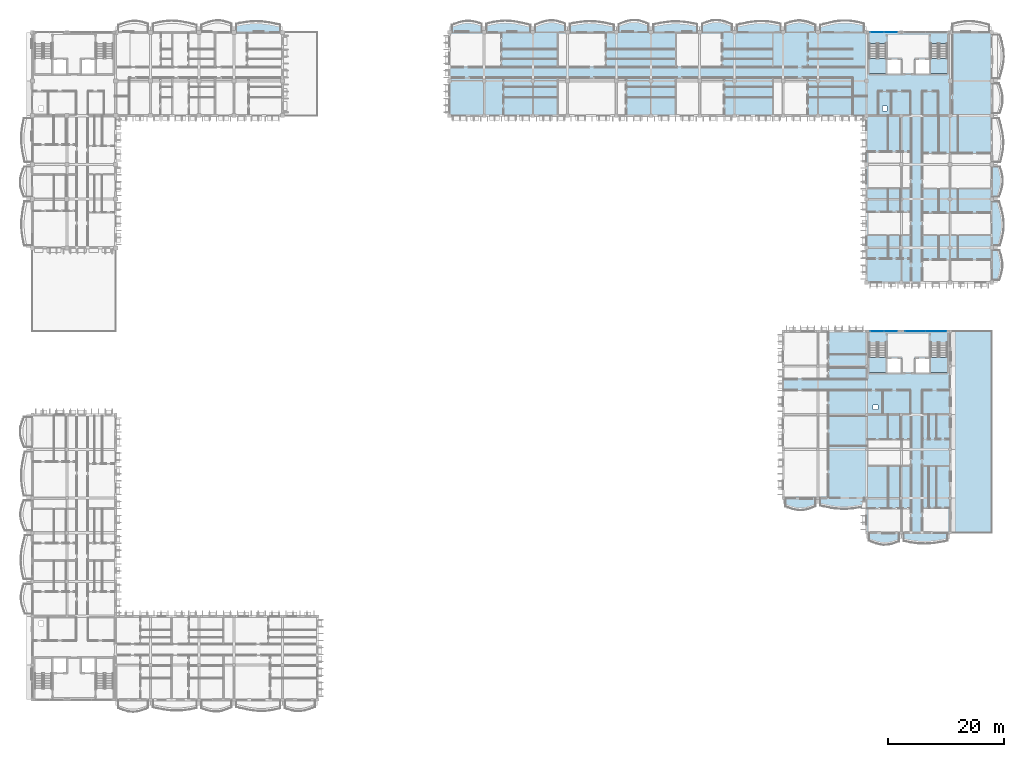
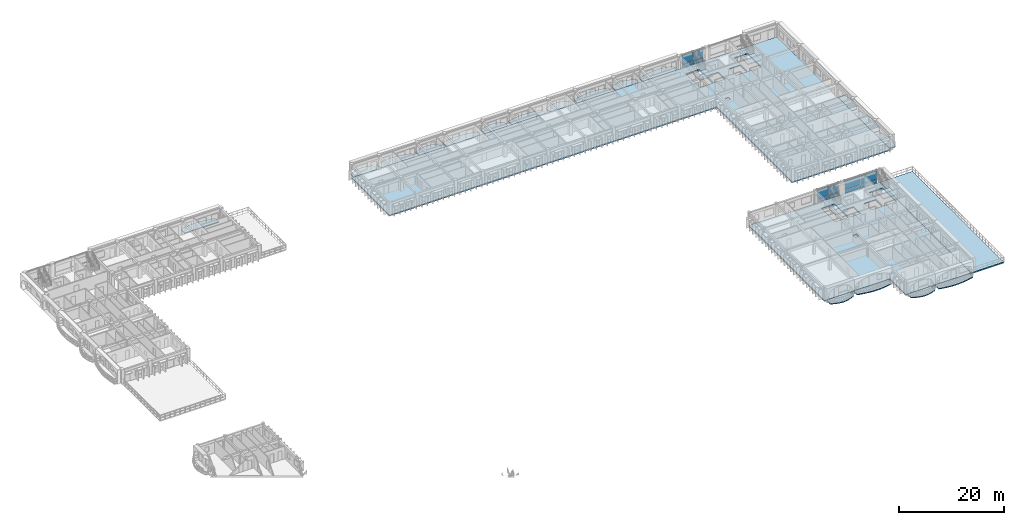
# One storey, part 11 of 66: 25 slabs, 12 plates, 7 elements without a shape of their own.
"""IFC4 building model written with IfcOpenShell, lengths in metres."""

import ifcopenshell
import ifcopenshell.guid

model = None  # the IFC model being written
_history = None  # IfcOwnerHistory: only IFC2X3 demands one
_inside = {}  # id of a spatial element -> (the spatial element, [elements in it])
_under = {}  # id of a project, library or spatial element -> (it, [spatial elements below it])
_declared = {}  # id of a project -> (the project, [libraries it declares])
_typed = {}  # id of a type object -> (the type object, [elements of that type])
_made_of = {}  # id of a material, layer set ... -> (it, [elements and type objects made of it])


def new_model(schema):
    """Start an empty IFC model of exactly this schema.

    Asked for "IFC4X3", IfcOpenShell would pick the latest addendum, in which some entities
    have other attributes; the version numbers below select the first issue.
    IFC2X3 requires an IfcOwnerHistory on every rooted entity: one is made here for all.
    """
    global model, _history
    if schema == "IFC4X3":
        model = ifcopenshell.file(schema_version=(4, 3, 0, 0))
    else:
        model = ifcopenshell.file(schema=schema)
    _inside.clear()
    _under.clear()
    _declared.clear()
    _typed.clear()
    _made_of.clear()
    _history = None
    if model.schema == "IFC2X3":
        org = make("IfcOrganization", Name="unknown")
        user = make(
            "IfcPersonAndOrganization",
            ThePerson=make("IfcPerson", FamilyName="unknown"),
            TheOrganization=org,
        )
        app = make(
            "IfcApplication",
            ApplicationDeveloper=org,
            Version="unknown",
            ApplicationFullName="unknown",
            ApplicationIdentifier="unknown",
        )
        _history = make(
            "IfcOwnerHistory",
            OwningUser=user,
            OwningApplication=app,
            ChangeAction="ADDED",
            CreationDate=0,
        )
    return model


def make(cls, **values):
    """One entity of the class cls with the attributes given. An attribute that is None is left unset."""
    return model.create_entity(
        cls, **{name: value for name, value in values.items() if value is not None}
    )


def rooted(cls, **values):
    """An entity with a GlobalId (a new one), such as an element, a storey or a relation."""
    return make(cls, GlobalId=ifcopenshell.guid.new(), OwnerHistory=_history, **values)


def si_unit(unit_type, name, prefix=None):
    """IfcSIUnit, for example si_unit("LENGTHUNIT", "METRE", prefix="MILLI")."""
    return make("IfcSIUnit", UnitType=unit_type, Prefix=prefix, Name=name)


def assignment(units):
    """IfcUnitAssignment: the units of a project."""
    return None if units is None else make("IfcUnitAssignment", Units=units)


def point(xyz):
    """IfcCartesianPoint."""
    return None if xyz is None else make("IfcCartesianPoint", Coordinates=xyz)


def direction(xyz):
    """IfcDirection."""
    return None if xyz is None else make("IfcDirection", DirectionRatios=xyz)


def frame(location, z_axis=None, x_axis=None):
    """IfcAxis2Placement3D, a coordinate frame: its origin and axes. An axis left out is left unset."""
    return make(
        "IfcAxis2Placement3D",
        Location=point(location),
        Axis=direction(z_axis),
        RefDirection=direction(x_axis),
    )


def frame_2d(location, x_axis=None):
    """IfcAxis2Placement2D, a coordinate frame in the plane: its origin and x axis."""
    return make(
        "IfcAxis2Placement2D", Location=point(location), RefDirection=direction(x_axis)
    )


def origin():
    """The frame at (0, 0, 0) with its axes left unset."""
    return frame((0.0, 0.0, 0.0))


def origin_2d():
    """The frame at (0, 0) in the plane with its x axis left unset."""
    return frame_2d((0.0, 0.0))


def place(relative_to, where):
    """IfcLocalPlacement: puts the frame where relative to a parent placement (None: the world)."""
    return make(
        "IfcLocalPlacement", PlacementRelTo=relative_to, RelativePlacement=where
    )


def context(
    kind, dimensions, precision=None, world=None, true_north=None, identifier=None
):
    """IfcGeometricRepresentationContext, for example the 3D "Model" context."""
    return make(
        "IfcGeometricRepresentationContext",
        ContextIdentifier=identifier,
        ContextType=kind,
        CoordinateSpaceDimension=dimensions,
        Precision=precision,
        WorldCoordinateSystem=world,
        TrueNorth=true_north,
    )


def subcontext(parent, identifier, kind, view, scale=None):
    """IfcGeometricRepresentationSubContext, for example "Body" below "Model"."""
    return make(
        "IfcGeometricRepresentationSubContext",
        ContextIdentifier=identifier,
        ContextType=kind,
        ParentContext=parent,
        TargetScale=scale,
        TargetView=view,
    )


def project(units=None, contexts=None):
    """IfcProject with its units and contexts."""
    return rooted(
        "IfcProject",
        Name="project",
        RepresentationContexts=contexts,
        UnitsInContext=assignment(units),
    )


def spatial(cls, under=None, at=None, **own):
    """A site, building, storey or space (cls), placed at a placement, below another one or the project."""
    s = rooted(cls, ObjectPlacement=at, **own)
    if under is not None:
        _under.setdefault(under.id(), (under, []))[1].append(s)
    return s


def polyline(points):
    """IfcPolyline through the points."""
    return make("IfcPolyline", Points=[point(p) for p in points])


def profile(cls, at=None, kind="AREA", **sizes):
    """A parametric profile (cls). Its sizes go by their IFC names, for example OverallWidth=200.0."""
    return make(cls, ProfileType=kind, Position=at, **sizes)


def rectangle(**sizes):
    """IfcRectangleProfileDef."""
    return profile("IfcRectangleProfileDef", **sizes)


def outline(outer, holes=None, kind="AREA"):
    """IfcArbitraryClosedProfileDef: a profile drawn as a closed curve; with holes, ...WithVoids."""
    if holes is None:
        return make("IfcArbitraryClosedProfileDef", ProfileType=kind, OuterCurve=outer)
    return make(
        "IfcArbitraryProfileDefWithVoids",
        ProfileType=kind,
        OuterCurve=outer,
        InnerCurves=holes,
    )


def extrude(swept, where, along, depth):
    """IfcExtrudedAreaSolid: the profile swept, set in the frame where, extruded along a direction by depth."""
    return make(
        "IfcExtrudedAreaSolid",
        SweptArea=swept,
        Position=where,
        ExtrudedDirection=direction(along),
        Depth=depth,
    )


def shape(context_of_items, identifier, shape_type, items):
    """IfcShapeRepresentation: the items that make up one representation, for example the "Body"."""
    return make(
        "IfcShapeRepresentation",
        ContextOfItems=context_of_items,
        RepresentationIdentifier=identifier,
        RepresentationType=shape_type,
        Items=items,
    )


def material(Name=None, Category=None):
    """IfcMaterial."""
    return make("IfcMaterial", Name=Name, Category=Category)


def layer(
    of_material, thickness, ventilated=None, Name=None, Category=None, Priority=None
):
    """IfcMaterialLayer: one layer of a wall or slab, of a material (None: an air gap)."""
    return make(
        "IfcMaterialLayer",
        Material=of_material,
        LayerThickness=thickness,
        IsVentilated=ventilated,
        Name=Name,
        Category=Category,
        Priority=Priority,
    )


def layer_set(layers, Name=None):
    """IfcMaterialLayerSet."""
    return make("IfcMaterialLayerSet", MaterialLayers=layers, LayerSetName=Name)


def made_of(thing, what):
    """Note that an element or type object is made of a material, layer set ...; save() writes the relation."""
    if what is not None:
        _made_of.setdefault(what.id(), (what, []))[1].append(thing)
    return thing


def type_object(cls, material=None, **own):
    """A type object (cls), such as IfcWallType, which elements share."""
    return made_of(rooted(cls, **own), material)


def element(
    cls,
    number,
    at=None,
    inside=None,
    cuts=None,
    type_object=None,
    material=None,
    context=None,
    identifier="Body",
    shape_type=None,
    held_by="IfcProductDefinitionShape",
    body=None,
    shapes=None,
    **own,
):
    """One element of the class cls, such as IfcWall. Its Tag is "e" and its number.

    at: its placement. inside: the storey or other place that contains it. cuts: it is an
    opening in that element (IfcRelVoidsElement). A single representation is given by context,
    identifier, shape_type and body (its items); several are given by shapes. held_by: the class
    of the entity that holds the representations. save() writes the other relations.
    """
    e = rooted(cls, Tag="e%d" % number, ObjectPlacement=at, **own)
    if body is not None:
        shapes = [shape(context, identifier, shape_type, body)]
    if shapes is not None:
        e.Representation = make(held_by, Representations=shapes)
    if inside is not None:
        _inside.setdefault(inside.id(), (inside, []))[1].append(e)
    if cuts is not None:
        rooted(
            "IfcRelVoidsElement", RelatingBuildingElement=cuts, RelatedOpeningElement=e
        )
    if type_object is not None:
        _typed.setdefault(type_object.id(), (type_object, []))[1].append(e)
    return made_of(e, material)


def aggregate(whole, parts):
    """IfcRelAggregates: a whole, such as a stair, and the parts it consists of."""
    return rooted("IfcRelAggregates", RelatingObject=whole, RelatedObjects=parts)


def save(model, path):
    """Write the relations noted so far, then the file.

    IfcRelAggregates (storeys below a building ...), IfcRelContainedInSpatialStructure (elements
    in a storey), IfcRelDefinesByType, IfcRelAssociatesMaterial and IfcRelDeclares: one each for
    every whole, place, type object, material and project.
    """
    for whole, parts in _under.values():
        aggregate(whole, parts)
    for where, things in _inside.values():
        rooted(
            "IfcRelContainedInSpatialStructure",
            RelatedElements=things,
            RelatingStructure=where,
        )
    for kind, things in _typed.values():
        rooted("IfcRelDefinesByType", RelatedObjects=things, RelatingType=kind)
    for what, things in _made_of.values():
        rooted("IfcRelAssociatesMaterial", RelatedObjects=things, RelatingMaterial=what)
    for by, libraries in _declared.values():
        rooted("IfcRelDeclares", RelatingContext=by, RelatedDefinitions=libraries)
    model.write(path)


model = new_model("IFC4")

# Units and contexts
model_context = context("Model", 3, precision=1e-05, world=origin(), true_north=direction((0.0, 1.0)))
body_context = subcontext(model_context, "Body", "Model", "MODEL_VIEW")
ifc_project = project(units=[si_unit("LENGTHUNIT", "METRE"), si_unit("AREAUNIT", "SQUARE_METRE"), si_unit("VOLUMEUNIT", "CUBIC_METRE"), si_unit("PLANEANGLEUNIT", "RADIAN"), si_unit("MASSUNIT", "GRAM", prefix="KILO"), si_unit("THERMODYNAMICTEMPERATUREUNIT", "KELVIN")], contexts=[model_context])

# Site, building, storey
site_placement = place(None, origin())
site = spatial("IfcSite", under=ifc_project, at=site_placement, CompositionType="ELEMENT")
building_placement = place(site_placement, origin())
building = spatial("IfcBuilding", under=site, at=building_placement, Name="Thalorik Housing Commons", CompositionType="ELEMENT")
storey_placement = place(building_placement, frame((0.0, 0.0, 21.300048828125)))
storey = spatial("IfcBuildingStorey", under=building, at=storey_placement, Name="L06", CompositionType="ELEMENT", Elevation=21.300048828125)

# Curtain wall, plates
ifc_material_1 = material(Name="Anodised aluminium and solar-control low-E glass", Category="aluminium")
curtain_wall_type = type_object("IfcCurtainWallType", Name="ARC-CW-CORE", PredefinedType="USERDEFINED", material=ifc_material_1)
curtain_wall_1_placement = place(storey_placement, origin())
curtain_wall_1 = element("IfcCurtainWall", 1, at=curtain_wall_1_placement, inside=storey, type_object=curtain_wall_type, Name="L06 Curtain Wall CW-CORE-L06-B-100", ObjectType="CURTAIN WALL", PredefinedType="USERDEFINED")
ifc_material_2 = material(Name="Cobalt blue enamelled aluminium spandrel panel", Category="aluminium")
ifc_layer_1 = layer(ifc_material_2, 0.0458984375, Name="Cobalt blue enamelled aluminium spandrel panel", Category="aluminium")
ifc_layer_set_1 = layer_set([ifc_layer_1], Name="Cobalt blue enamelled aluminium spandrel panel")
plate_type_1 = type_object("IfcPlateType", Name="ARC-CP-BLU-46", PredefinedType="CURTAIN_PANEL", material=ifc_layer_set_1)
plate_1_placement = place(storey_placement, frame((156.574951171875, 123.60009765625, 0.080078125), z_axis=(0.0, 0.0, 1.0), x_axis=(-1.0, 0.0, 0.0)))
plate_1 = element("IfcPlate", 2, at=plate_1_placement, type_object=plate_type_1, Name="CW-CORE-L06-B-100 Spandrel Panel 1", PredefinedType="CURTAIN_PANEL", context=body_context, shape_type="SweptSolid", body=[
    extrude(rectangle(XDim=2.2900390625, YDim=0.0458984375, at=origin_2d()), origin(), (0.0, 0.0, 1.0), 0.760009765625),
])
plate_2_placement = place(storey_placement, frame((154.22509765625, 123.60009765625, 0.080078125), z_axis=(0.0, 0.0, 1.0), x_axis=(-1.0, 0.0, 0.0)))
plate_2 = element("IfcPlate", 3, at=plate_2_placement, type_object=plate_type_1, Name="CW-CORE-L06-B-100 Spandrel Panel 2", PredefinedType="CURTAIN_PANEL", context=body_context, shape_type="SweptSolid", body=[
    extrude(rectangle(XDim=2.2900390625, YDim=0.0458984375, at=origin_2d()), origin(), (0.0, 0.0, 1.0), 0.760009765625),
])
ifc_material_3 = material(Name="Double solar-control low-E glass", Category="glass")
ifc_layer_2 = layer(ifc_material_3, 0.028076171875, Name="Double solar-control low-E glass", Category="glass")
ifc_layer_set_2 = layer_set([ifc_layer_2], Name="Double solar-control low-E glass")
plate_type_2 = type_object("IfcPlateType", Name="ARC-CP-GLZ-28", PredefinedType="CURTAIN_PANEL", material=ifc_layer_set_2)
plate_3_placement = place(storey_placement, frame((156.574951171875, 123.60009765625, 0.919921875), z_axis=(0.0, 0.0, 1.0), x_axis=(-1.0, 0.0, 0.0)))
plate_3 = element("IfcPlate", 4, at=plate_3_placement, type_object=plate_type_2, Name="CW-CORE-L06-B-100 Vision Panel 1", PredefinedType="CURTAIN_PANEL", context=body_context, shape_type="SweptSolid", body=[
    extrude(rectangle(XDim=2.2900390625, YDim=0.028076171875, at=origin_2d()), origin(), (0.0, 0.0, 1.0), 2.0400390625),
])
plate_4_placement = place(storey_placement, frame((154.22509765625, 123.60009765625, 0.919921875), z_axis=(0.0, 0.0, 1.0), x_axis=(-1.0, 0.0, 0.0)))
plate_4 = element("IfcPlate", 5, at=plate_4_placement, type_object=plate_type_2, Name="CW-CORE-L06-B-100 Vision Panel 2", PredefinedType="CURTAIN_PANEL", context=body_context, shape_type="SweptSolid", body=[
    extrude(rectangle(XDim=2.2900390625, YDim=0.028076171875, at=origin_2d()), origin(), (0.0, 0.0, 1.0), 2.0400390625),
])
aggregate(curtain_wall_1, [plate_1, plate_3, plate_2, plate_4])

curtain_wall_2_placement = place(storey_placement, origin())
curtain_wall_2 = element("IfcCurtainWall", 6, at=curtain_wall_2_placement, inside=storey, type_object=curtain_wall_type, Name="L06 Curtain Wall CW-CORE-L06-D-198", ObjectType="CURTAIN WALL", PredefinedType="USERDEFINED")
plate_5_placement = place(storey_placement, frame((164.375, 72.0, 0.919921875), z_axis=(0.0, 0.0, 1.0), x_axis=(-1.0, 0.0, 0.0)))
plate_5 = element("IfcPlate", 7, at=plate_5_placement, type_object=plate_type_2, Name="CW-CORE-L06-D-198 Vision Panel 1", PredefinedType="CURTAIN_PANEL", context=body_context, shape_type="SweptSolid", body=[
    extrude(rectangle(XDim=3.489990234375, YDim=0.028076171875, at=origin_2d()), origin(), (0.0, 0.0, 1.0), 2.0400390625),
])
plate_6_placement = place(storey_placement, frame((160.824951171875, 72.0, 0.919921875), z_axis=(0.0, 0.0, 1.0), x_axis=(-1.0, 0.0, 0.0)))
plate_6 = element("IfcPlate", 8, at=plate_6_placement, type_object=plate_type_2, Name="CW-CORE-L06-D-198 Vision Panel 2", PredefinedType="CURTAIN_PANEL", context=body_context, shape_type="SweptSolid", body=[
    extrude(rectangle(XDim=3.489990234375, YDim=0.028076171875, at=origin_2d()), origin(), (0.0, 0.0, 1.0), 2.0400390625),
])

curtain_wall_3_placement = place(storey_placement, origin())
curtain_wall_3 = element("IfcCurtainWall", 9, at=curtain_wall_3_placement, inside=storey, type_object=curtain_wall_type, Name="L06 Curtain Wall CW-CORE-L06-D-199", ObjectType="CURTAIN WALL", PredefinedType="USERDEFINED")
plate_7_placement = place(storey_placement, frame((156.574951171875, 72.0, 0.919921875), z_axis=(0.0, 0.0, 1.0), x_axis=(-1.0, 0.0, 0.0)))
plate_7 = element("IfcPlate", 10, at=plate_7_placement, type_object=plate_type_2, Name="CW-CORE-L06-D-199 Vision Panel 1", PredefinedType="CURTAIN_PANEL", context=body_context, shape_type="SweptSolid", body=[
    extrude(rectangle(XDim=2.2900390625, YDim=0.028076171875, at=origin_2d()), origin(), (0.0, 0.0, 1.0), 2.0400390625),
])
plate_8_placement = place(storey_placement, frame((154.22509765625, 72.0, 0.919921875), z_axis=(0.0, 0.0, 1.0), x_axis=(-1.0, 0.0, 0.0)))
plate_8 = element("IfcPlate", 11, at=plate_8_placement, type_object=plate_type_2, Name="CW-CORE-L06-D-199 Vision Panel 2", PredefinedType="CURTAIN_PANEL", context=body_context, shape_type="SweptSolid", body=[
    extrude(rectangle(XDim=2.2900390625, YDim=0.028076171875, at=origin_2d()), origin(), (0.0, 0.0, 1.0), 2.0400390625),
])
ifc_material_4 = material(Name="Oxide red enamelled aluminium spandrel panel", Category="aluminium")
ifc_layer_3 = layer(ifc_material_4, 0.0419921875, Name="Oxide red enamelled aluminium spandrel panel", Category="aluminium")
ifc_layer_set_3 = layer_set([ifc_layer_3], Name="Oxide red enamelled aluminium spandrel panel")
plate_type_3 = type_object("IfcPlateType", Name="ARC-CP-RED-42", PredefinedType="CURTAIN_PANEL", material=ifc_layer_set_3)
plate_9_placement = place(storey_placement, frame((156.574951171875, 72.0, 0.080078125), z_axis=(0.0, 0.0, 1.0), x_axis=(-1.0, 0.0, 0.0)))
plate_9 = element("IfcPlate", 12, at=plate_9_placement, type_object=plate_type_3, Name="CW-CORE-L06-D-199 Spandrel Panel 1", PredefinedType="CURTAIN_PANEL", context=body_context, shape_type="SweptSolid", body=[
    extrude(rectangle(XDim=2.2900390625, YDim=0.0419921875, at=origin_2d()), origin(), (0.0, 0.0, 1.0), 0.760009765625),
])
plate_10_placement = place(storey_placement, frame((154.22509765625, 72.0, 0.080078125), z_axis=(0.0, 0.0, 1.0), x_axis=(-1.0, 0.0, 0.0)))
plate_10 = element("IfcPlate", 13, at=plate_10_placement, type_object=plate_type_3, Name="CW-CORE-L06-D-199 Spandrel Panel 2", PredefinedType="CURTAIN_PANEL", context=body_context, shape_type="SweptSolid", body=[
    extrude(rectangle(XDim=2.2900390625, YDim=0.0419921875, at=origin_2d()), origin(), (0.0, 0.0, 1.0), 0.760009765625),
])
aggregate(curtain_wall_3, [plate_9, plate_7, plate_10, plate_8])

# Plate
ifc_material_5 = material(Name="Mineral ochre yellow aluminium spandrel panel", Category="aluminium")
ifc_layer_4 = layer(ifc_material_5, 0.050048828125, Name="Mineral ochre yellow aluminium spandrel panel", Category="aluminium")
ifc_layer_set_4 = layer_set([ifc_layer_4], Name="Mineral ochre yellow aluminium spandrel panel")
plate_type_4 = type_object("IfcPlateType", Name="ARC-CP-YEL-50", PredefinedType="CURTAIN_PANEL", material=ifc_layer_set_4)
plate_11_placement = place(storey_placement, frame((164.375, 72.0, 0.080078125), z_axis=(0.0, 0.0, 1.0), x_axis=(-1.0, 0.0, 0.0)))
plate_11 = element("IfcPlate", 14, at=plate_11_placement, type_object=plate_type_4, Name="CW-CORE-L06-D-198 Spandrel Panel 1", PredefinedType="CURTAIN_PANEL", context=body_context, shape_type="SweptSolid", body=[
    extrude(rectangle(XDim=3.489990234375, YDim=0.050048828125, at=origin_2d()), origin(), (0.0, 0.0, 1.0), 0.760009765625),
])

plate_12_placement = place(storey_placement, frame((160.824951171875, 72.0, 0.080078125), z_axis=(0.0, 0.0, 1.0), x_axis=(-1.0, 0.0, 0.0)))
plate_12 = element("IfcPlate", 15, at=plate_12_placement, type_object=plate_type_4, Name="CW-CORE-L06-D-198 Spandrel Panel 2", PredefinedType="CURTAIN_PANEL", context=body_context, shape_type="SweptSolid", body=[
    extrude(rectangle(XDim=3.489990234375, YDim=0.050048828125, at=origin_2d()), origin(), (0.0, 0.0, 1.0), 0.760009765625),
])

aggregate(curtain_wall_2, [plate_11, plate_5, plate_12, plate_6])

# Stair, slab
ifc_material_6 = material(Name="Precast concrete C40/50", Category="concrete")
stair_type = type_object("IfcStairType", Name="ARC-STR-1350-R20", PredefinedType="HALF_TURN_STAIR", material=ifc_material_6)
stair_1_placement = place(storey_placement, origin())
stair_1 = element("IfcStair", 16, at=stair_1_placement, inside=storey, type_object=stair_type, Name="L06 Block B Smoke-Proof Stair 1", PredefinedType="HALF_TURN_STAIR")
ifc_layer_5 = layer(ifc_material_6, 0.199951171875, Name="Precast concrete C40/50", Category="concrete")
ifc_layer_set_5 = layer_set([ifc_layer_5], Name="Precast concrete C40/50")
slab_type_1 = type_object("IfcSlabType", Name="ARC-SLB-STLND-200", PredefinedType="LANDING", material=ifc_layer_set_5)
slab_1_placement = place(storey_placement, frame((0.0, 0.0, 1.449951171875)))
slab_1 = element("IfcSlab", 17, at=slab_1_placement, type_object=slab_type_1, Name="ST-B1 landing 1", PredefinedType="LANDING", context=body_context, shape_type="SweptSolid", body=[
    extrude(outline(polyline([(152.85009765625, 119.090087890625), (152.85009765625, 116.449951171875), (155.75, 116.449951171875), (155.75, 119.090087890625), (152.85009765625, 119.090087890625)])), origin(), (0.0, 0.0, 1.0), 0.199951171875),
])
aggregate(stair_1, [slab_1])

stair_2_placement = place(storey_placement, origin())
stair_2 = element("IfcStair", 18, at=stair_2_placement, inside=storey, type_object=stair_type, Name="L06 Block B Smoke-Proof Stair 2", PredefinedType="HALF_TURN_STAIR")
slab_2_placement = place(storey_placement, frame((0.0, 0.0, 1.449951171875)))
slab_2 = element("IfcSlab", 19, at=slab_2_placement, type_object=slab_type_1, Name="ST-B2 landing 1", PredefinedType="LANDING", context=body_context, shape_type="SweptSolid", body=[
    extrude(outline(polyline([(163.449951171875, 119.090087890625), (163.449951171875, 116.449951171875), (166.35009765625, 116.449951171875), (166.35009765625, 119.090087890625), (163.449951171875, 119.090087890625)])), origin(), (0.0, 0.0, 1.0), 0.199951171875),
])
aggregate(stair_2, [slab_2])

stair_3_placement = place(storey_placement, origin())
stair_3 = element("IfcStair", 20, at=stair_3_placement, inside=storey, type_object=stair_type, Name="L06 Block D Smoke-Proof Stair 1", PredefinedType="HALF_TURN_STAIR")
slab_3_placement = place(storey_placement, frame((0.0, 0.0, 1.449951171875)))
slab_3 = element("IfcSlab", 21, at=slab_3_placement, type_object=slab_type_1, Name="ST-D1 landing 1", PredefinedType="LANDING", context=body_context, shape_type="SweptSolid", body=[
    extrude(outline(polyline([(152.85009765625, 67.489990234375), (152.85009765625, 64.85009765625), (155.75, 64.85009765625), (155.75, 67.489990234375), (152.85009765625, 67.489990234375)])), origin(), (0.0, 0.0, 1.0), 0.199951171875),
])
aggregate(stair_3, [slab_3])

stair_4_placement = place(storey_placement, origin())
stair_4 = element("IfcStair", 22, at=stair_4_placement, inside=storey, type_object=stair_type, Name="L06 Block D Smoke-Proof Stair 2", PredefinedType="HALF_TURN_STAIR")
slab_4_placement = place(storey_placement, frame((0.0, 0.0, 1.449951171875)))
slab_4 = element("IfcSlab", 23, at=slab_4_placement, type_object=slab_type_1, Name="ST-D2 landing 1", PredefinedType="LANDING", context=body_context, shape_type="SweptSolid", body=[
    extrude(outline(polyline([(163.449951171875, 67.489990234375), (163.449951171875, 64.85009765625), (166.35009765625, 64.85009765625), (166.35009765625, 67.489990234375), (163.449951171875, 67.489990234375)])), origin(), (0.0, 0.0, 1.0), 0.199951171875),
])
aggregate(stair_4, [slab_4])

# Slabs
ifc_layer_6 = layer(ifc_material_6, 0.199951171875, Name="Precast concrete C40/50", Category="concrete")
ifc_layer_set_6 = layer_set([ifc_layer_6], Name="Precast concrete C40/50")
slab_type_2 = type_object("IfcSlabType", Name="STR-SLB-BALC-200", PredefinedType="FLOOR", material=ifc_layer_set_6)
slab_5_placement = place(storey_placement, frame((0.0, 0.0, -0.199951171875)))
element("IfcSlab", 24, at=slab_5_placement, inside=storey, type_object=slab_type_2, Name="L06 Block B Cushion Balcony 169", PredefinedType="FLOOR", context=body_context, shape_type="SweptSolid", body=[
    extrude(outline(polyline([(80.820068359375, 123.60009765625), (85.97998046875, 123.60009765625), (85.97998046875, 125.0595703125), (85.550048828125, 125.201904296875), (85.1201171875, 125.330810546875), (84.68994140625, 125.43701171875), (84.260009765625, 125.512451171875), (83.830078125, 125.55126953125), (83.39990234375, 125.55029296875), (82.969970703125, 125.50830078125), (82.5400390625, 125.42822265625), (82.110107421875, 125.314453125), (81.679931640625, 125.174072265625), (81.25, 125.0166015625), (80.820068359375, 124.85205078125), (80.820068359375, 123.60009765625)])), origin(), (0.0, 0.0, 1.0), 0.199951171875),
])
slab_6_placement = place(storey_placement, frame((0.0, 0.0, -0.199951171875)))
element("IfcSlab", 25, at=slab_6_placement, inside=storey, type_object=slab_type_2, Name="L06 Block B Cushion Balcony 171", PredefinedType="FLOOR", context=body_context, shape_type="SweptSolid", body=[
    extrude(outline(polyline([(95.219970703125, 123.60009765625), (100.3798828125, 123.60009765625), (100.3798828125, 125.087646484375), (99.949951171875, 125.24560546875), (99.52001953125, 125.388916015625), (99.090087890625, 125.507080078125), (98.659912109375, 125.592041015625), (98.22998046875, 125.6376953125), (97.800048828125, 125.640380859375), (97.3701171875, 125.599365234375), (96.93994140625, 125.5166015625), (96.510009765625, 125.397216796875), (96.080078125, 125.248291015625), (95.64990234375, 125.07958984375), (95.219970703125, 124.901611328125), (95.219970703125, 123.60009765625)])), origin(), (0.0, 0.0, 1.0), 0.199951171875),
])
slab_7_placement = place(storey_placement, frame((0.0, 0.0, -0.199951171875)))
element("IfcSlab", 26, at=slab_7_placement, inside=storey, type_object=slab_type_2, Name="L06 Block B Cushion Balcony 173", PredefinedType="FLOOR", context=body_context, shape_type="SweptSolid", body=[
    extrude(outline(polyline([(109.6201171875, 123.60009765625), (114.780029296875, 123.60009765625), (114.780029296875, 125.04638671875), (114.35009765625, 125.22021484375), (113.919921875, 125.380126953125), (113.489990234375, 125.515380859375), (113.06005859375, 125.6171875), (112.6298828125, 125.6787109375), (112.199951171875, 125.69580078125), (111.77001953125, 125.667236328125), (111.340087890625, 125.5947265625), (110.909912109375, 125.482421875), (110.47998046875, 125.338134765625), (110.050048828125, 125.17041015625), (109.6201171875, 124.99072265625), (109.6201171875, 123.60009765625)])), origin(), (0.0, 0.0, 1.0), 0.199951171875),
])
slab_8_placement = place(storey_placement, frame((0.0, 0.0, -0.199951171875)))
element("IfcSlab", 27, at=slab_8_placement, inside=storey, type_object=slab_type_2, Name="L06 Block B Cushion Balcony 175", PredefinedType="FLOOR", context=body_context, shape_type="SweptSolid", body=[
    extrude(outline(polyline([(124.02001953125, 123.60009765625), (129.179931640625, 123.60009765625), (129.179931640625, 124.959716796875), (128.75, 125.140380859375), (128.320068359375, 125.309814453125), (127.889892578125, 125.457275390625), (127.4599609375, 125.572998046875), (127.030029296875, 125.650390625), (126.60009765625, 125.68408203125), (126.169921875, 125.672607421875), (125.739990234375, 125.61669921875), (125.31005859375, 125.520751953125), (124.8798828125, 125.39111328125), (124.449951171875, 125.236328125), (124.02001953125, 125.067138671875), (124.02001953125, 123.60009765625)])), origin(), (0.0, 0.0, 1.0), 0.199951171875),
])
slab_9_placement = place(storey_placement, frame((0.0, 0.0, -0.199951171875)))
element("IfcSlab", 28, at=slab_9_placement, inside=storey, type_object=slab_type_2, Name="L06 Block B Cushion Balcony 177", PredefinedType="FLOOR", context=body_context, shape_type="SweptSolid", body=[
    extrude(outline(polyline([(138.419921875, 123.60009765625), (143.580078125, 123.60009765625), (143.580078125, 124.87841796875), (143.14990234375, 125.052978515625), (142.719970703125, 125.218994140625), (142.2900390625, 125.366455078125), (141.860107421875, 125.485595703125), (141.429931640625, 125.569091796875), (141.0, 125.61181640625), (140.570068359375, 125.61181640625), (140.139892578125, 125.56982421875), (139.7099609375, 125.489013671875), (139.280029296875, 125.3759765625), (138.85009765625, 125.23828125), (138.419921875, 125.0859375), (138.419921875, 123.60009765625)])), origin(), (0.0, 0.0, 1.0), 0.199951171875),
])
slab_10_placement = place(storey_placement, frame((0.0, 0.0, -0.199951171875)))
element("IfcSlab", 29, at=slab_10_placement, inside=storey, type_object=slab_type_2, Name="L06 Block B Cushion Balcony 182", PredefinedType="FLOOR", context=body_context, shape_type="SweptSolid", body=[
    extrude(outline(polyline([(175.30419921875, 80.820068359375), (175.445068359375, 81.25), (175.578125, 81.679931640625), (175.693603515625, 82.110107421875), (175.783447265625, 82.5400390625), (175.84130859375, 82.969970703125), (175.863037109375, 83.39990234375), (175.84716796875, 83.830078125), (175.794921875, 84.260009765625), (175.710205078125, 84.68994140625), (175.599365234375, 85.1201171875), (175.47021484375, 85.550048828125), (175.332275390625, 85.97998046875), (174.0, 85.97998046875), (174.0, 80.820068359375), (175.30419921875, 80.820068359375)])), origin(), (0.0, 0.0, 1.0), 0.199951171875),
])
slab_11_placement = place(storey_placement, frame((0.0, 0.0, -0.199951171875)))
element("IfcSlab", 30, at=slab_11_placement, inside=storey, type_object=slab_type_2, Name="L06 Block B Cushion Balcony 184", PredefinedType="FLOOR", context=body_context, shape_type="SweptSolid", body=[
    extrude(outline(polyline([(175.252685546875, 95.219970703125), (175.408447265625, 95.64990234375), (175.5576171875, 96.080078125), (175.690185546875, 96.510009765625), (175.797119140625, 96.93994140625), (175.871337890625, 97.3701171875), (175.90869140625, 97.800048828125), (175.906494140625, 98.22998046875), (175.8662109375, 98.659912109375), (175.791015625, 99.090087890625), (175.686279296875, 99.52001953125), (175.560791015625, 99.949951171875), (175.423095703125, 100.3798828125), (174.0, 100.3798828125), (174.0, 95.219970703125), (175.252685546875, 95.219970703125)])), origin(), (0.0, 0.0, 1.0), 0.199951171875),
])
slab_12_placement = place(storey_placement, frame((0.0, 0.0, -0.199951171875)))
element("IfcSlab", 31, at=slab_12_placement, inside=storey, type_object=slab_type_2, Name="L06 Block D Cushion Balcony 369", PredefinedType="FLOOR", context=body_context, shape_type="SweptSolid", body=[
    extrude(outline(polyline([(152.820068359375, 35.855712890625), (153.25, 35.67529296875), (153.679931640625, 35.50537109375), (154.110107421875, 35.357177734375), (154.5400390625, 35.23974609375), (154.969970703125, 35.16064453125), (155.39990234375, 35.12451171875), (155.830078125, 35.133544921875), (156.260009765625, 35.1865234375), (156.68994140625, 35.27978515625), (157.1201171875, 35.406494140625), (157.550048828125, 35.558349609375), (157.97998046875, 35.72509765625), (157.97998046875, 37.199951171875), (152.820068359375, 37.199951171875), (152.820068359375, 35.855712890625)])), origin(), (0.0, 0.0, 1.0), 0.199951171875),
])
slab_13_placement = place(storey_placement, frame((0.0, 0.0, -0.199951171875)))
element("IfcSlab", 32, at=slab_13_placement, inside=storey, type_object=slab_type_2, Name="L06 Block D Cushion Balcony 371", PredefinedType="FLOOR", context=body_context, shape_type="SweptSolid", body=[
    extrude(outline(polyline([(138.419921875, 41.76611328125), (138.85009765625, 41.59033203125), (139.280029296875, 41.427978515625), (139.7099609375, 41.290283203125), (140.139892578125, 41.185546875), (140.570068359375, 41.12109375), (141.0, 41.10107421875), (141.429931640625, 41.126708984375), (141.860107421875, 41.197021484375), (142.2900390625, 41.306884765625), (142.719970703125, 41.44921875), (143.14990234375, 41.615478515625), (143.580078125, 41.794189453125), (143.580078125, 43.199951171875), (138.419921875, 43.199951171875), (138.419921875, 41.76611328125)])), origin(), (0.0, 0.0, 1.0), 0.199951171875),
])
ifc_layer_7 = layer(ifc_material_6, 0.219970703125, Name="Precast concrete C40/50", Category="concrete")
ifc_layer_set_7 = layer_set([ifc_layer_7], Name="Precast concrete C40/50")
slab_type_3 = type_object("IfcSlabType", Name="STR-SLB-BALC-220", PredefinedType="FLOOR", material=ifc_layer_set_7)
slab_14_placement = place(storey_placement, frame((0.0, 0.0, -0.219970703125)))
element("IfcSlab", 33, at=slab_14_placement, inside=storey, type_object=slab_type_3, Name="L06 Block A Cushion Balcony 44", PredefinedType="FLOOR", context=body_context, shape_type="SweptSolid", body=[
    extrude(outline(polyline([(43.6201171875, 123.60009765625), (51.179931640625, 123.60009765625), (51.179931640625, 124.904296875), (50.550048828125, 125.037841796875), (49.919921875, 125.16748046875), (49.2900390625, 125.284423828125), (48.659912109375, 125.380615234375), (48.030029296875, 125.44970703125), (47.39990234375, 125.486572265625), (46.77001953125, 125.489013671875), (46.139892578125, 125.456298828125), (45.510009765625, 125.390869140625), (44.8798828125, 125.296630859375), (44.25, 125.179931640625), (43.6201171875, 125.048583984375), (43.6201171875, 123.60009765625)])), origin(), (0.0, 0.0, 1.0), 0.219970703125),
])
slab_15_placement = place(storey_placement, frame((0.0, 0.0, -0.219970703125)))
element("IfcSlab", 34, at=slab_15_placement, inside=storey, type_object=slab_type_3, Name="L06 Block B Cushion Balcony 170", PredefinedType="FLOOR", context=body_context, shape_type="SweptSolid", body=[
    extrude(outline(polyline([(86.820068359375, 123.60009765625), (94.3798828125, 123.60009765625), (94.3798828125, 124.8525390625), (93.75, 125.0087890625), (93.1201171875, 125.162841796875), (92.489990234375, 125.3046875), (91.860107421875, 125.424072265625), (91.22998046875, 125.51318359375), (90.60009765625, 125.5654296875), (89.969970703125, 125.5771484375), (89.340087890625, 125.54736328125), (88.7099609375, 125.477783203125), (88.080078125, 125.373046875), (87.449951171875, 125.239990234375), (86.820068359375, 125.087890625), (86.820068359375, 123.60009765625)])), origin(), (0.0, 0.0, 1.0), 0.219970703125),
])
slab_16_placement = place(storey_placement, frame((0.0, 0.0, -0.219970703125)))
element("IfcSlab", 35, at=slab_16_placement, inside=storey, type_object=slab_type_3, Name="L06 Block B Cushion Balcony 172", PredefinedType="FLOOR", context=body_context, shape_type="SweptSolid", body=[
    extrude(outline(polyline([(101.219970703125, 123.60009765625), (108.780029296875, 123.60009765625), (108.780029296875, 124.904296875), (108.14990234375, 125.037841796875), (107.52001953125, 125.16748046875), (106.889892578125, 125.284423828125), (106.260009765625, 125.380615234375), (105.6298828125, 125.44970703125), (105.0, 125.486572265625), (104.3701171875, 125.489013671875), (103.739990234375, 125.456298828125), (103.110107421875, 125.390869140625), (102.47998046875, 125.296630859375), (101.85009765625, 125.179931640625), (101.219970703125, 125.048583984375), (101.219970703125, 123.60009765625)])), origin(), (0.0, 0.0, 1.0), 0.219970703125),
])
slab_17_placement = place(storey_placement, frame((0.0, 0.0, -0.219970703125)))
element("IfcSlab", 36, at=slab_17_placement, inside=storey, type_object=slab_type_3, Name="L06 Block B Cushion Balcony 174", PredefinedType="FLOOR", context=body_context, shape_type="SweptSolid", body=[
    extrude(outline(polyline([(115.6201171875, 123.60009765625), (123.179931640625, 123.60009765625), (123.179931640625, 124.99365234375), (122.550048828125, 125.11962890625), (121.919921875, 125.2353515625), (121.2900390625, 125.3330078125), (120.659912109375, 125.406494140625), (120.030029296875, 125.45068359375), (119.39990234375, 125.462890625), (118.77001953125, 125.4423828125), (118.139892578125, 125.390380859375), (117.510009765625, 125.310302734375), (116.8798828125, 125.20751953125), (116.25, 125.089111328125), (115.6201171875, 124.962890625), (115.6201171875, 123.60009765625)])), origin(), (0.0, 0.0, 1.0), 0.219970703125),
])
slab_18_placement = place(storey_placement, frame((0.0, 0.0, -0.219970703125)))
element("IfcSlab", 37, at=slab_18_placement, inside=storey, type_object=slab_type_3, Name="L06 Block B Cushion Balcony 176", PredefinedType="FLOOR", context=body_context, shape_type="SweptSolid", body=[
    extrude(outline(polyline([(130.02001953125, 123.60009765625), (137.580078125, 123.60009765625), (137.580078125, 125.06884765625), (136.949951171875, 125.205810546875), (136.320068359375, 125.326171875), (135.68994140625, 125.421875), (135.06005859375, 125.486572265625), (134.429931640625, 125.51611328125), (133.800048828125, 125.508544921875), (133.169921875, 125.46484375), (132.5400390625, 125.387939453125), (131.909912109375, 125.283203125), (131.280029296875, 125.157958984375), (130.64990234375, 125.020751953125), (130.02001953125, 124.880615234375), (130.02001953125, 123.60009765625)])), origin(), (0.0, 0.0, 1.0), 0.219970703125),
])
slab_19_placement = place(storey_placement, frame((0.0, 0.0, -0.219970703125)))
element("IfcSlab", 38, at=slab_19_placement, inside=storey, type_object=slab_type_3, Name="L06 Block B Cushion Balcony 178", PredefinedType="FLOOR", context=body_context, shape_type="SweptSolid", body=[
    extrude(outline(polyline([(144.419921875, 123.60009765625), (151.97998046875, 123.60009765625), (151.97998046875, 125.08544921875), (151.35009765625, 125.24609375), (150.719970703125, 125.38720703125), (150.090087890625, 125.498779296875), (149.4599609375, 125.573974609375), (148.830078125, 125.607177734375), (148.199951171875, 125.596435546875), (147.570068359375, 125.543212890625), (146.93994140625, 125.45068359375), (146.31005859375, 125.32568359375), (145.679931640625, 125.177001953125), (145.050048828125, 125.0146484375), (144.419921875, 124.85009765625), (144.419921875, 123.60009765625)])), origin(), (0.0, 0.0, 1.0), 0.219970703125),
])
slab_20_placement = place(storey_placement, frame((0.0, 0.0, -0.219970703125)))
element("IfcSlab", 39, at=slab_20_placement, inside=storey, type_object=slab_type_3, Name="L06 Block B Cushion Balcony 183", PredefinedType="FLOOR", context=body_context, shape_type="SweptSolid", body=[
    extrude(outline(polyline([(175.420166015625, 86.820068359375), (175.60595703125, 87.449951171875), (175.77490234375, 88.080078125), (175.915283203125, 88.7099609375), (176.01806640625, 89.340087890625), (176.075439453125, 89.969970703125), (176.083984375, 90.60009765625), (176.043212890625, 91.22998046875), (175.955810546875, 91.860107421875), (175.827880859375, 92.489990234375), (175.668701171875, 93.1201171875), (175.489013671875, 93.75), (175.301513671875, 94.3798828125), (174.0, 94.3798828125), (174.0, 86.820068359375), (175.420166015625, 86.820068359375)])), origin(), (0.0, 0.0, 1.0), 0.219970703125),
])
slab_21_placement = place(storey_placement, frame((0.0, 0.0, -0.219970703125)))
element("IfcSlab", 40, at=slab_21_placement, inside=storey, type_object=slab_type_3, Name="L06 Block D Cushion Balcony 370", PredefinedType="FLOOR", context=body_context, shape_type="SweptSolid", body=[
    extrude(outline(polyline([(158.820068359375, 35.791259765625), (159.449951171875, 35.664794921875), (160.080078125, 35.5498046875), (160.7099609375, 35.45361328125), (161.340087890625, 35.3828125), (161.969970703125, 35.342041015625), (162.60009765625, 35.333984375), (163.22998046875, 35.35888671875), (163.860107421875, 35.4150390625), (164.489990234375, 35.498779296875), (165.1201171875, 35.6044921875), (165.75, 35.72509765625), (166.3798828125, 35.852783203125), (166.3798828125, 37.199951171875), (158.820068359375, 37.199951171875), (158.820068359375, 35.791259765625)])), origin(), (0.0, 0.0, 1.0), 0.219970703125),
])
slab_22_placement = place(storey_placement, frame((0.0, 0.0, -0.219970703125)))
element("IfcSlab", 41, at=slab_22_placement, inside=storey, type_object=slab_type_3, Name="L06 Block D Cushion Balcony 372", PredefinedType="FLOOR", context=body_context, shape_type="SweptSolid", body=[
    extrude(outline(polyline([(144.419921875, 41.882080078125), (145.050048828125, 41.751220703125), (145.679931640625, 41.624755859375), (146.31005859375, 41.511962890625), (146.93994140625, 41.419921875), (147.570068359375, 41.355224609375), (148.199951171875, 41.322021484375), (148.830078125, 41.322998046875), (149.4599609375, 41.35791015625), (150.090087890625, 41.424560546875), (150.719970703125, 41.518798828125), (151.35009765625, 41.634521484375), (151.97998046875, 41.763671875), (151.97998046875, 43.199951171875), (144.419921875, 43.199951171875), (144.419921875, 41.882080078125)])), origin(), (0.0, 0.0, 1.0), 0.219970703125),
])
ifc_material_7 = material(Name="Precast concrete C45/55", Category="concrete")
ifc_layer_8 = layer(ifc_material_7, 0.260009765625, Name="Precast concrete C45/55", Category="concrete")
ifc_layer_set_8 = layer_set([ifc_layer_8], Name="Precast concrete C45/55")
slab_type_4 = type_object("IfcSlabType", Name="STR-SLB-HC-260", PredefinedType="FLOOR", material=ifc_layer_set_8)
slab_23_placement = place(storey_placement, frame((0.0, 0.0, -0.260009765625)))
element("IfcSlab", 42, at=slab_23_placement, inside=storey, type_object=slab_type_4, Name="L06 Residential Block B Floor Slab", PredefinedType="FLOOR", context=body_context, shape_type="SweptSolid", body=[
    extrude(outline(polyline([(80.39990234375, 109.199951171875), (152.39990234375, 109.199951171875), (152.39990234375, 80.39990234375), (174.0, 80.39990234375), (174.0, 109.199951171875), (174.0, 123.60009765625), (80.39990234375, 123.60009765625), (80.39990234375, 109.199951171875)]), holes=[polyline([(152.85009765625, 121.64990234375), (155.75, 121.64990234375), (155.75, 116.449951171875), (152.85009765625, 116.449951171875), (152.85009765625, 121.64990234375)]), polyline([(166.35009765625, 121.64990234375), (166.35009765625, 116.449951171875), (163.449951171875, 116.449951171875), (163.449951171875, 121.64990234375), (166.35009765625, 121.64990234375)]), polyline([(158.39990234375, 119.0), (158.39990234375, 116.449951171875), (156.0, 116.449951171875), (156.0, 119.0), (158.39990234375, 119.0)]), polyline([(163.199951171875, 116.449951171875), (160.800048828125, 116.449951171875), (160.800048828125, 119.0), (163.199951171875, 119.0), (163.199951171875, 116.449951171875)]), polyline([(155.14990234375, 110.050048828125), (155.14990234375, 110.85009765625), (155.949951171875, 110.85009765625), (155.949951171875, 110.050048828125), (155.14990234375, 110.050048828125)])]), origin(), (0.0, 0.0, 1.0), 0.260009765625),
])
slab_24_placement = place(storey_placement, frame((0.0, 0.0, -0.260009765625)))
element("IfcSlab", 43, at=slab_24_placement, inside=storey, type_object=slab_type_4, Name="L06 Residential Block D Floor Slab", PredefinedType="FLOOR", context=body_context, shape_type="SweptSolid", body=[
    extrude(outline(polyline([(152.39990234375, 43.199951171875), (152.39990234375, 37.199951171875), (166.800048828125, 37.199951171875), (166.800048828125, 72.0), (152.39990234375, 72.0), (138.0, 72.0), (138.0, 43.199951171875), (152.39990234375, 43.199951171875)]), holes=[polyline([(152.85009765625, 70.050048828125), (155.75, 70.050048828125), (155.75, 64.85009765625), (152.85009765625, 64.85009765625), (152.85009765625, 70.050048828125)]), polyline([(166.35009765625, 70.050048828125), (166.35009765625, 64.85009765625), (163.449951171875, 64.85009765625), (163.449951171875, 70.050048828125), (166.35009765625, 70.050048828125)]), polyline([(158.39990234375, 67.39990234375), (158.39990234375, 64.85009765625), (156.0, 64.85009765625), (156.0, 67.39990234375), (158.39990234375, 67.39990234375)]), polyline([(163.199951171875, 64.85009765625), (160.800048828125, 64.85009765625), (160.800048828125, 67.39990234375), (163.199951171875, 67.39990234375), (163.199951171875, 64.85009765625)]), polyline([(153.550048828125, 58.449951171875), (153.550048828125, 59.25), (154.35009765625, 59.25), (154.35009765625, 58.449951171875), (153.550048828125, 58.449951171875)])]), origin(), (0.0, 0.0, 1.0), 0.260009765625),
])
ifc_layer_9 = layer(ifc_material_7, 0.280029296875, Name="Precast concrete C45/55", Category="concrete")
ifc_layer_set_9 = layer_set([ifc_layer_9], Name="Precast concrete C45/55")
slab_type_5 = type_object("IfcSlabType", Name="STR-SLB-TERR-280", PredefinedType="FLOOR", material=ifc_layer_set_9)
slab_25_placement = place(storey_placement, frame((0.0, 0.0, -0.280029296875)))
element("IfcSlab", 44, at=slab_25_placement, inside=storey, type_object=slab_type_5, Name="L06 Block D L06 East Roof Terrace", PredefinedType="FLOOR", context=body_context, shape_type="SweptSolid", body=[
    extrude(outline(polyline([(174.0, 37.199951171875), (174.0, 72.0), (166.800048828125, 72.0), (166.800048828125, 37.199951171875), (174.0, 37.199951171875)])), origin(), (0.0, 0.0, 1.0), 0.280029296875),
])

save(model, "model.ifc")
